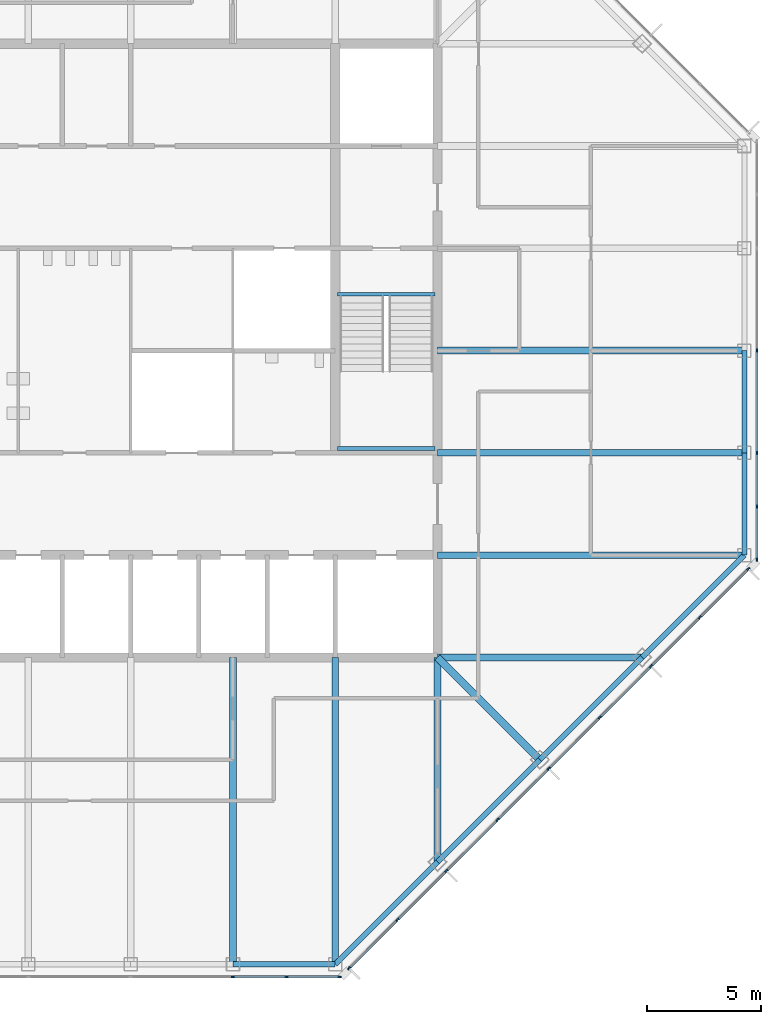
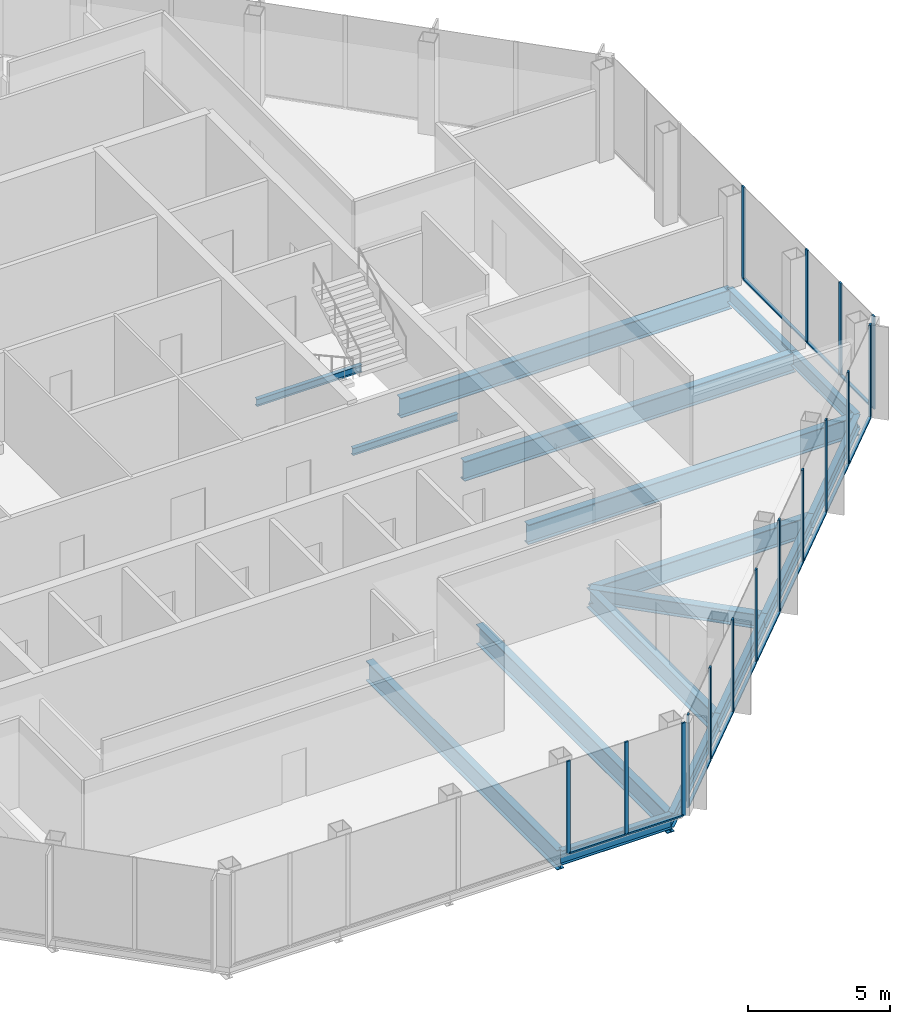
# One storey, part 4 of 14: 29 members, 17 beams, 3 elements without a shape of their own.
"""IFC4 building model written with IfcOpenShell, lengths in metres."""

from ifc_helpers import new_model, si_unit, direction, frame, origin, origin_2d, place, context, subcontext, project, spatial, rectangle, i_section, extrude, material, material_profile, profile_set, type_object, element, aggregate, save


model = new_model("IFC4")

# Units and contexts
model_context = context("Model", 3, precision=1e-05, world=origin(), true_north=direction((0.0, 1.0)))
body_context = subcontext(model_context, "Body", "Model", "MODEL_VIEW")
ifc_project = project(units=[si_unit("LENGTHUNIT", "METRE"), si_unit("AREAUNIT", "SQUARE_METRE"), si_unit("VOLUMEUNIT", "CUBIC_METRE"), si_unit("PLANEANGLEUNIT", "RADIAN"), si_unit("MASSUNIT", "GRAM", prefix="KILO")], contexts=[model_context])

# Site, building, storey
site_placement = place(None, origin())
site = spatial("IfcSite", under=ifc_project, at=site_placement, CompositionType="ELEMENT")
building_placement = place(site_placement, origin())
building = spatial("IfcBuilding", under=site, at=building_placement, Name="Corais Broadcast Tower", CompositionType="ELEMENT")
storey_placement = place(building_placement, frame((0.0, 0.0, 290.60009765625)))
storey = spatial("IfcBuildingStorey", under=building, at=storey_placement, Name="L68", CompositionType="ELEMENT", Elevation=290.60009765625)

# Beams
ifc_material_1 = material(Name="Steel ASTM A572 Grade 50", Category="steel")
ifc_material_profile_1 = material_profile(ifc_material_1, i_section(OverallWidth=0.323974609375, OverallDepth=0.611083984375, WebThickness=0.0126953125, FlangeThickness=0.01904296875, at=origin_2d()), Name="W610x155")
ifc_profile_set_1 = profile_set([ifc_material_profile_1], Name="Steel ASTM A572 Grade 50")
beam_type_1 = type_object("IfcBeamType", Name="Corner diagonal W610x155", PredefinedType="BEAM", material=ifc_profile_set_1)
beam_1_placement = place(storey_placement, frame((45.0, 9.0, -0.465576171875), z_axis=(-0.707106781187, 0.707106781187, 0.0), x_axis=(-0.707106781187, -0.707106781187, 0.0)))
element("IfcBeam", 1, at=beam_1_placement, inside=storey, type_object=beam_type_1, Name="B6 C/13 to D/12", PredefinedType="BEAM", context=body_context, shape_type="SweptSolid", body=[
    extrude(i_section(OverallWidth=0.323974609375, OverallDepth=0.611083984375, WebThickness=0.0126953125, FlangeThickness=0.01904296875, at=origin_2d()), origin(), (0.0, 0.0, 1.0), 6.364013671875),
])
ifc_material_2 = material(Name="Steel ASTM A572 Grade 50", Category="steel")
ifc_material_profile_2 = material_profile(ifc_material_2, i_section(OverallWidth=0.2939453125, OverallDepth=0.85107421875, WebThickness=0.01611328125, FlangeThickness=0.02685546875, at=origin_2d()), Name="W840x226")
ifc_profile_set_2 = profile_set([ifc_material_profile_2], Name="Steel ASTM A572 Grade 50")
beam_type_2 = type_object("IfcBeamType", Name="Floor beam W840x226", PredefinedType="BEAM", material=ifc_profile_set_2)
for number, where, z_axis, x_axis, name in (
    (2, (31.5, 0.0, -0.585693359375), (0.0, 1.0, 0.0), (-1.0, 0.0, 0.0), "B1 A/10 to D/10"),
    (3, (36.0, 0.0, -0.585693359375), (0.0, 1.0, 0.0), (-1.0, 0.0, 0.0), "B1 A/11 to D/11"),
):
    element("IfcBeam", number, at=place(storey_placement, frame(where, z_axis=z_axis, x_axis=x_axis)), inside=storey, type_object=beam_type_2, Name=name, PredefinedType="BEAM", context=body_context, shape_type="SweptSolid", body=[
        extrude(i_section(OverallWidth=0.2939453125, OverallDepth=0.85107421875, WebThickness=0.01611328125, FlangeThickness=0.02685546875, at=origin_2d()), origin(), (0.0, 0.0, 1.0), 13.5),
    ])
for number, where, z_axis, x_axis, name in (
    (4, (40.5, 4.5, -0.585693359375), (0.0, 1.0, 0.0), (-1.0, 0.0, 0.0), "B1 B/12 to D/12"),
    (5, (49.5, 13.5, -0.585693359375), (-1.0, 0.0, 0.0), (0.0, -1.0, 0.0), "B1 D/14 to D/12"),
):
    element("IfcBeam", number, at=place(storey_placement, frame(where, z_axis=z_axis, x_axis=x_axis)), inside=storey, type_object=beam_type_2, Name=name, PredefinedType="BEAM", context=body_context, shape_type="SweptSolid", body=[
        extrude(i_section(OverallWidth=0.2939453125, OverallDepth=0.85107421875, WebThickness=0.01611328125, FlangeThickness=0.02685546875, at=origin_2d()), origin(), (0.0, 0.0, 1.0), 9.0),
    ])
for number, where, z_axis, x_axis, name in (
    (6, (54.0, 18.0, -0.585693359375), (-1.0, 0.0, 0.0), (0.0, -1.0, 0.0), "B1 E/15 to E/12"),
    (7, (54.0, 22.5, -0.585693359375), (-1.0, 0.0, 0.0), (0.0, -1.0, 0.0), "B1 F/15 to F/12"),
    (8, (54.0, 27.0, -0.585693359375), (-1.0, 0.0, 0.0), (0.0, -1.0, 0.0), "B1 G/15 to G/12"),
):
    element("IfcBeam", number, at=place(storey_placement, frame(where, z_axis=z_axis, x_axis=x_axis)), inside=storey, type_object=beam_type_2, Name=name, PredefinedType="BEAM", context=body_context, shape_type="SweptSolid", body=[
        extrude(i_section(OverallWidth=0.2939453125, OverallDepth=0.85107421875, WebThickness=0.01611328125, FlangeThickness=0.02685546875, at=origin_2d()), origin(), (0.0, 0.0, 1.0), 13.5),
    ])
ifc_material_3 = material(Name="Steel ASTM A572 Grade 50", Category="steel")
ifc_material_profile_3 = material_profile(ifc_material_3, i_section(OverallWidth=0.1650390625, OverallDepth=0.31005859375, WebThickness=0.005859375, FlangeThickness=0.009765625, at=origin_2d()), Name="W310x38.7")
ifc_profile_set_3 = profile_set([ifc_material_profile_3], Name="Steel ASTM A572 Grade 50")
beam_type_3 = type_object("IfcBeamType", Name="Landing trimmer W310x38.7", PredefinedType="BEAM", material=ifc_profile_set_3)
for number, where, z_axis, x_axis, name in (
    (9, (36.10009765625, 29.47509765625, -0.35498046875), (1.0, 0.0, 0.0), (0.0, 1.0, 0.0), "LT1 stair B landing trimmer L68"),
    (10, (36.10009765625, 22.68994140625, 1.64501953125), (1.0, 0.0, 0.0), (0.0, 1.0, 0.0), "LT1 stair B half landing trimmer L68"),
):
    element("IfcBeam", number, at=place(storey_placement, frame(where, z_axis=z_axis, x_axis=x_axis)), inside=storey, type_object=beam_type_3, Name=name, PredefinedType="BEAM", context=body_context, shape_type="SweptSolid", body=[
        extrude(i_section(OverallWidth=0.1650390625, OverallDepth=0.31005859375, WebThickness=0.005859375, FlangeThickness=0.009765625, at=origin_2d()), origin(), (0.0, 0.0, 1.0), 4.2998046875),
    ])

# Curtain wall, members
ifc_material_4 = material(Name="Aluminium and glass", Category="aluminium")
curtain_wall_type = type_object("IfcCurtainWallType", Name="Unitised fritted curtain wall CW3", PredefinedType="NOTDEFINED", material=ifc_material_4)
curtain_wall_1_placement = place(storey_placement, origin())
curtain_wall_1 = element("IfcCurtainWall", 11, at=curtain_wall_1_placement, inside=storey, type_object=curtain_wall_type, Name="CW3 curtain wall L68 6", PredefinedType="NOTDEFINED")
ifc_material_5 = material(Name="Aluminium 6063-T6", Category="aluminium")
ifc_material_profile_4 = material_profile(ifc_material_5, rectangle(XDim=0.06494140625, YDim=0.159912109375, at=origin_2d()), Name="Mullion CW3 65x160")
ifc_profile_set_4 = profile_set([ifc_material_profile_4], Name="Aluminium 6063-T6")
member_type_1 = type_object("IfcMemberType", Name="Mullion CW3 65x160", PredefinedType="MULLION", material=ifc_profile_set_4)
member_1_placement = place(storey_placement, frame((54.550048828125, 27.0, 0.0), z_axis=(0.0, 0.0, 1.0), x_axis=(1.0, 0.0, 0.0)))
member_1 = element("IfcMember", 12, at=member_1_placement, type_object=member_type_1, Name="CW3 mullion 4", PredefinedType="MULLION", context=body_context, shape_type="SweptSolid", body=[
    extrude(rectangle(XDim=0.06494140625, YDim=0.159912109375, at=origin_2d()), origin(), (0.0, 0.0, 1.0), 4.0),
])
member_2_placement = place(storey_placement, frame((54.550048828125, 22.5, 0.0), z_axis=(0.0, 0.0, 1.0), x_axis=(1.0, 0.0, 0.0)))
member_2 = element("IfcMember", 13, at=member_2_placement, type_object=member_type_1, Name="CW3 mullion 5", PredefinedType="MULLION", context=body_context, shape_type="SweptSolid", body=[
    extrude(rectangle(XDim=0.06494140625, YDim=0.159912109375, at=origin_2d()), origin(), (0.0, 0.0, 1.0), 4.0),
])
member_3_placement = place(storey_placement, frame((54.550048828125, 20.135986328125, 0.0), z_axis=(0.0, 0.0, 1.0), x_axis=(1.0, 0.0, 0.0)))
member_3 = element("IfcMember", 14, at=member_3_placement, type_object=member_type_1, Name="CW3 mullion 6", PredefinedType="MULLION", context=body_context, shape_type="SweptSolid", body=[
    extrude(rectangle(XDim=0.06494140625, YDim=0.159912109375, at=origin_2d()), origin(), (0.0, 0.0, 1.0), 4.0),
])
member_4_placement = place(storey_placement, frame((54.550048828125, 17.8046875, 0.0), z_axis=(0.0, 0.0, 1.0), x_axis=(1.0, 0.0, 0.0)))
member_4 = element("IfcMember", 15, at=member_4_placement, type_object=member_type_1, Name="CW3 mullion 7", PredefinedType="MULLION", context=body_context, shape_type="SweptSolid", body=[
    extrude(rectangle(XDim=0.06494140625, YDim=0.159912109375, at=origin_2d()), origin(), (0.0, 0.0, 1.0), 4.0),
])

curtain_wall_2_placement = place(storey_placement, origin())
curtain_wall_2 = element("IfcCurtainWall", 16, at=curtain_wall_2_placement, inside=storey, type_object=curtain_wall_type, Name="CW3 curtain wall L68 7", PredefinedType="NOTDEFINED")
member_5_placement = place(storey_placement, frame((54.17333984375, 17.3955078125, 0.0), z_axis=(0.0, 0.0, 1.0), x_axis=(0.707106781187, -0.707106781187, 0.0)))
member_5 = element("IfcMember", 17, at=member_5_placement, type_object=member_type_1, Name="CW3 mullion 1", PredefinedType="MULLION", context=body_context, shape_type="SweptSolid", body=[
    extrude(rectangle(XDim=0.06494140625, YDim=0.159912109375, at=origin_2d()), origin(), (0.0, 0.0, 1.0), 4.0),
])
member_6_placement = place(storey_placement, frame((52.042724609375, 15.264892578125, 0.0), z_axis=(0.0, 0.0, 1.0), x_axis=(0.707106781187, -0.707106781187, 0.0)))
member_6 = element("IfcMember", 18, at=member_6_placement, type_object=member_type_1, Name="CW3 mullion 2", PredefinedType="MULLION", context=body_context, shape_type="SweptSolid", body=[
    extrude(rectangle(XDim=0.06494140625, YDim=0.159912109375, at=origin_2d()), origin(), (0.0, 0.0, 1.0), 4.0),
])
member_7_placement = place(storey_placement, frame((49.888916015625, 13.111083984375, 0.0), z_axis=(0.0, 0.0, 1.0), x_axis=(0.707106781187, -0.707106781187, 0.0)))
member_7 = element("IfcMember", 19, at=member_7_placement, type_object=member_type_1, Name="CW3 mullion 3", PredefinedType="MULLION", context=body_context, shape_type="SweptSolid", body=[
    extrude(rectangle(XDim=0.06494140625, YDim=0.159912109375, at=origin_2d()), origin(), (0.0, 0.0, 1.0), 4.0),
])
member_8_placement = place(storey_placement, frame((47.638916015625, 10.861083984375, 0.0), z_axis=(0.0, 0.0, 1.0), x_axis=(0.707106781187, -0.707106781187, 0.0)))
member_8 = element("IfcMember", 20, at=member_8_placement, type_object=member_type_1, Name="CW3 mullion 4", PredefinedType="MULLION", context=body_context, shape_type="SweptSolid", body=[
    extrude(rectangle(XDim=0.06494140625, YDim=0.159912109375, at=origin_2d()), origin(), (0.0, 0.0, 1.0), 4.0),
])
member_9_placement = place(storey_placement, frame((45.388916015625, 8.611083984375, 0.0), z_axis=(0.0, 0.0, 1.0), x_axis=(0.707106781187, -0.707106781187, 0.0)))
member_9 = element("IfcMember", 21, at=member_9_placement, type_object=member_type_1, Name="CW3 mullion 5", PredefinedType="MULLION", context=body_context, shape_type="SweptSolid", body=[
    extrude(rectangle(XDim=0.06494140625, YDim=0.159912109375, at=origin_2d()), origin(), (0.0, 0.0, 1.0), 4.0),
])
member_10_placement = place(storey_placement, frame((43.138916015625, 6.361083984375, 0.0), z_axis=(0.0, 0.0, 1.0), x_axis=(0.707106781187, -0.707106781187, 0.0)))
member_10 = element("IfcMember", 22, at=member_10_placement, type_object=member_type_1, Name="CW3 mullion 6", PredefinedType="MULLION", context=body_context, shape_type="SweptSolid", body=[
    extrude(rectangle(XDim=0.06494140625, YDim=0.159912109375, at=origin_2d()), origin(), (0.0, 0.0, 1.0), 4.0),
])
member_11_placement = place(storey_placement, frame((40.888916015625, 4.111083984375, 0.0), z_axis=(0.0, 0.0, 1.0), x_axis=(0.707106781187, -0.707106781187, 0.0)))
member_11 = element("IfcMember", 23, at=member_11_placement, type_object=member_type_1, Name="CW3 mullion 7", PredefinedType="MULLION", context=body_context, shape_type="SweptSolid", body=[
    extrude(rectangle(XDim=0.06494140625, YDim=0.159912109375, at=origin_2d()), origin(), (0.0, 0.0, 1.0), 4.0),
])
member_12_placement = place(storey_placement, frame((38.735107421875, 1.957275390625, 0.0), z_axis=(0.0, 0.0, 1.0), x_axis=(0.707106781187, -0.707106781187, 0.0)))
member_12 = element("IfcMember", 24, at=member_12_placement, type_object=member_type_1, Name="CW3 mullion 8", PredefinedType="MULLION", context=body_context, shape_type="SweptSolid", body=[
    extrude(rectangle(XDim=0.06494140625, YDim=0.159912109375, at=origin_2d()), origin(), (0.0, 0.0, 1.0), 4.0),
])
member_13_placement = place(storey_placement, frame((36.6044921875, -0.17333984375, 0.0), z_axis=(0.0, 0.0, 1.0), x_axis=(0.707106781187, -0.707106781187, 0.0)))
member_13 = element("IfcMember", 25, at=member_13_placement, type_object=member_type_1, Name="CW3 mullion 9", PredefinedType="MULLION", context=body_context, shape_type="SweptSolid", body=[
    extrude(rectangle(XDim=0.06494140625, YDim=0.159912109375, at=origin_2d()), origin(), (0.0, 0.0, 1.0), 4.0),
])

curtain_wall_3_placement = place(storey_placement, origin())
curtain_wall_3 = element("IfcCurtainWall", 26, at=curtain_wall_3_placement, inside=storey, type_object=curtain_wall_type, Name="CW3 curtain wall L68 8", PredefinedType="NOTDEFINED")
member_14_placement = place(storey_placement, frame((36.1953125, -0.550048828125, 0.0), z_axis=(0.0, 0.0, 1.0), x_axis=(0.0, -1.0, 0.0)))
member_14 = element("IfcMember", 27, at=member_14_placement, type_object=member_type_1, Name="CW3 mullion 1", PredefinedType="MULLION", context=body_context, shape_type="SweptSolid", body=[
    extrude(rectangle(XDim=0.06494140625, YDim=0.159912109375, at=origin_2d()), origin(), (0.0, 0.0, 1.0), 4.0),
])
member_15_placement = place(storey_placement, frame((33.864013671875, -0.550048828125, 0.0), z_axis=(0.0, 0.0, 1.0), x_axis=(0.0, -1.0, 0.0)))
member_15 = element("IfcMember", 28, at=member_15_placement, type_object=member_type_1, Name="CW3 mullion 2", PredefinedType="MULLION", context=body_context, shape_type="SweptSolid", body=[
    extrude(rectangle(XDim=0.06494140625, YDim=0.159912109375, at=origin_2d()), origin(), (0.0, 0.0, 1.0), 4.0),
])
member_16_placement = place(storey_placement, frame((31.5, -0.550048828125, 0.0), z_axis=(0.0, 0.0, 1.0), x_axis=(0.0, -1.0, 0.0)))
member_16 = element("IfcMember", 29, at=member_16_placement, type_object=member_type_1, Name="CW3 mullion 3", PredefinedType="MULLION", context=body_context, shape_type="SweptSolid", body=[
    extrude(rectangle(XDim=0.06494140625, YDim=0.159912109375, at=origin_2d()), origin(), (0.0, 0.0, 1.0), 4.0),
])

# Beams
ifc_material_6 = material(Name="Steel ASTM A572 Grade 50", Category="steel")
ifc_material_profile_5 = material_profile(ifc_material_6, i_section(OverallWidth=0.22998046875, OverallDepth=0.616943359375, WebThickness=0.01318359375, FlangeThickness=0.022216796875, at=origin_2d()), Name="W610x140")
ifc_profile_set_5 = profile_set([ifc_material_profile_5], Name="Steel ASTM A572 Grade 50")
beam_type_4 = type_object("IfcBeamType", Name="Spandrel W610x140", PredefinedType="BEAM", material=ifc_profile_set_5)
beam_2_placement = place(storey_placement, frame((31.5, 0.0, -0.468505859375), z_axis=(1.0, 0.0, 0.0), x_axis=(0.0, 1.0, 0.0)))
element("IfcBeam", 30, at=beam_2_placement, inside=storey, type_object=beam_type_4, Name="SB3 A/10 to A/11", PredefinedType="BEAM", context=body_context, shape_type="SweptSolid", body=[
    extrude(i_section(OverallWidth=0.22998046875, OverallDepth=0.616943359375, WebThickness=0.01318359375, FlangeThickness=0.022216796875, at=origin_2d()), origin(), (0.0, 0.0, 1.0), 4.5),
])
for number, where, z_axis, x_axis, name in (
    (31, (36.0, 0.0, -0.468505859375), (0.707106781187, 0.707106781187, 0.0), (-0.707106781187, 0.707106781187, 0.0), "SB3 A/11 to B/12"),
    (32, (40.5, 4.5, -0.468505859375), (0.707106781187, 0.707106781187, 0.0), (-0.707106781187, 0.707106781187, 0.0), "SB3 B/12 to C/13"),
    (33, (45.0, 9.0, -0.468505859375), (0.707106781187, 0.707106781187, 0.0), (-0.707106781187, 0.707106781187, 0.0), "SB3 C/13 to D/14"),
    (34, (49.5, 13.5, -0.468505859375), (0.707106781187, 0.707106781187, 0.0), (-0.707106781187, 0.707106781187, 0.0), "SB3 D/14 to E/15"),
):
    element("IfcBeam", number, at=place(storey_placement, frame(where, z_axis=z_axis, x_axis=x_axis)), inside=storey, type_object=beam_type_4, Name=name, PredefinedType="BEAM", context=body_context, shape_type="SweptSolid", body=[
        extrude(i_section(OverallWidth=0.22998046875, OverallDepth=0.616943359375, WebThickness=0.01318359375, FlangeThickness=0.022216796875, at=origin_2d()), origin(), (0.0, 0.0, 1.0), 6.364013671875),
    ])
for number, where, z_axis, x_axis, name in (
    (35, (54.0, 18.0, -0.468505859375), (0.0, 1.0, 0.0), (-1.0, 0.0, 0.0), "SB3 E/15 to F/15"),
    (36, (54.0, 22.5, -0.468505859375), (0.0, 1.0, 0.0), (-1.0, 0.0, 0.0), "SB3 F/15 to G/15"),
):
    element("IfcBeam", number, at=place(storey_placement, frame(where, z_axis=z_axis, x_axis=x_axis)), inside=storey, type_object=beam_type_4, Name=name, PredefinedType="BEAM", context=body_context, shape_type="SweptSolid", body=[
        extrude(i_section(OverallWidth=0.22998046875, OverallDepth=0.616943359375, WebThickness=0.01318359375, FlangeThickness=0.022216796875, at=origin_2d()), origin(), (0.0, 0.0, 1.0), 4.5),
    ])

# Member
ifc_material_7 = material(Name="Aluminium 6063-T6", Category="aluminium")
ifc_material_profile_6 = material_profile(ifc_material_7, rectangle(XDim=0.1201171875, YDim=0.06494140625, at=origin_2d()), Name="Transom CW3 65x120")
ifc_profile_set_6 = profile_set([ifc_material_profile_6], Name="Aluminium 6063-T6")
member_type_2 = type_object("IfcMemberType", Name="Transom CW3 65x120", PredefinedType="USERDEFINED", material=ifc_profile_set_6)
member_17_placement = place(storey_placement, frame((54.550048828125, 26.967529296875, 0.032470703125), z_axis=(0.0, -1.0, 0.0), x_axis=(1.0, 0.0, 0.0)))
member_17 = element("IfcMember", 37, at=member_17_placement, type_object=member_type_2, Name="CW3 transom 4.1", ObjectType="TRANSOM", PredefinedType="USERDEFINED", context=body_context, shape_type="SweptSolid", body=[
    extrude(rectangle(XDim=0.1201171875, YDim=0.06494140625, at=origin_2d()), origin(), (0.0, 0.0, 1.0), 4.43505859375),
])

member_18_placement = place(storey_placement, frame((54.550048828125, 22.467529296875, 0.032470703125), z_axis=(0.0, -1.0, 0.0), x_axis=(1.0, 0.0, 0.0)))
member_18 = element("IfcMember", 38, at=member_18_placement, type_object=member_type_2, Name="CW3 transom 5.1", ObjectType="TRANSOM", PredefinedType="USERDEFINED", context=body_context, shape_type="SweptSolid", body=[
    extrude(rectangle(XDim=0.1201171875, YDim=0.06494140625, at=origin_2d()), origin(), (0.0, 0.0, 1.0), 2.298828125),
])

member_19_placement = place(storey_placement, frame((54.550048828125, 20.103515625, 0.032470703125), z_axis=(0.0, -1.0, 0.0), x_axis=(1.0, 0.0, 0.0)))
member_19 = element("IfcMember", 39, at=member_19_placement, type_object=member_type_2, Name="CW3 transom 6.1", ObjectType="TRANSOM", PredefinedType="USERDEFINED", context=body_context, shape_type="SweptSolid", body=[
    extrude(rectangle(XDim=0.1201171875, YDim=0.06494140625, at=origin_2d()), origin(), (0.0, 0.0, 1.0), 2.266357421875),
])

aggregate(curtain_wall_1, [member_1, member_2, member_3, member_4, member_17, member_18, member_19])

member_20_placement = place(storey_placement, frame((54.150390625, 17.37255859375, 0.032470703125), z_axis=(-0.707106781187, -0.707106781187, 0.0), x_axis=(0.707106781187, -0.707106781187, 0.0)))
member_20 = element("IfcMember", 40, at=member_20_placement, type_object=member_type_2, Name="CW3 transom 1.1", ObjectType="TRANSOM", PredefinedType="USERDEFINED", context=body_context, shape_type="SweptSolid", body=[
    extrude(rectangle(XDim=0.1201171875, YDim=0.06494140625, at=origin_2d()), origin(), (0.0, 0.0, 1.0), 2.9482421875),
])

member_21_placement = place(storey_placement, frame((52.019775390625, 15.241943359375, 0.032470703125), z_axis=(-0.707106781187, -0.707106781187, 0.0), x_axis=(0.707106781187, -0.707106781187, 0.0)))
member_21 = element("IfcMember", 41, at=member_21_placement, type_object=member_type_2, Name="CW3 transom 2.1", ObjectType="TRANSOM", PredefinedType="USERDEFINED", context=body_context, shape_type="SweptSolid", body=[
    extrude(rectangle(XDim=0.1201171875, YDim=0.06494140625, at=origin_2d()), origin(), (0.0, 0.0, 1.0), 2.98095703125),
])

member_22_placement = place(storey_placement, frame((49.865966796875, 13.088134765625, 0.032470703125), z_axis=(-0.707106781187, -0.707106781187, 0.0), x_axis=(0.707106781187, -0.707106781187, 0.0)))
member_22 = element("IfcMember", 42, at=member_22_placement, type_object=member_type_2, Name="CW3 transom 3.1", ObjectType="TRANSOM", PredefinedType="USERDEFINED", context=body_context, shape_type="SweptSolid", body=[
    extrude(rectangle(XDim=0.1201171875, YDim=0.06494140625, at=origin_2d()), origin(), (0.0, 0.0, 1.0), 3.1171875),
])

member_23_placement = place(storey_placement, frame((47.615966796875, 10.838134765625, 0.032470703125), z_axis=(-0.707106781187, -0.707106781187, 0.0), x_axis=(0.707106781187, -0.707106781187, 0.0)))
member_23 = element("IfcMember", 43, at=member_23_placement, type_object=member_type_2, Name="CW3 transom 4.1", ObjectType="TRANSOM", PredefinedType="USERDEFINED", context=body_context, shape_type="SweptSolid", body=[
    extrude(rectangle(XDim=0.1201171875, YDim=0.06494140625, at=origin_2d()), origin(), (0.0, 0.0, 1.0), 3.1171875),
])

member_24_placement = place(storey_placement, frame((45.365966796875, 8.588134765625, 0.032470703125), z_axis=(-0.707106781187, -0.707106781187, 0.0), x_axis=(0.707106781187, -0.707106781187, 0.0)))
member_24 = element("IfcMember", 44, at=member_24_placement, type_object=member_type_2, Name="CW3 transom 5.1", ObjectType="TRANSOM", PredefinedType="USERDEFINED", context=body_context, shape_type="SweptSolid", body=[
    extrude(rectangle(XDim=0.1201171875, YDim=0.06494140625, at=origin_2d()), origin(), (0.0, 0.0, 1.0), 3.1171875),
])

member_25_placement = place(storey_placement, frame((43.115966796875, 6.338134765625, 0.032470703125), z_axis=(-0.707106781187, -0.707106781187, 0.0), x_axis=(0.707106781187, -0.707106781187, 0.0)))
member_25 = element("IfcMember", 45, at=member_25_placement, type_object=member_type_2, Name="CW3 transom 6.1", ObjectType="TRANSOM", PredefinedType="USERDEFINED", context=body_context, shape_type="SweptSolid", body=[
    extrude(rectangle(XDim=0.1201171875, YDim=0.06494140625, at=origin_2d()), origin(), (0.0, 0.0, 1.0), 3.1171875),
])

member_26_placement = place(storey_placement, frame((40.865966796875, 4.088134765625, 0.032470703125), z_axis=(-0.70714773134, -0.707065828661, 0.0), x_axis=(0.707065828661, -0.70714773134, 0.0)))
member_26 = element("IfcMember", 46, at=member_26_placement, type_object=member_type_2, Name="CW3 transom 7.1", ObjectType="TRANSOM", PredefinedType="USERDEFINED", context=body_context, shape_type="SweptSolid", body=[
    extrude(rectangle(XDim=0.1201171875, YDim=0.06494140625, at=origin_2d()), origin(), (0.0, 0.0, 1.0), 2.98095703125),
])

member_27_placement = place(storey_placement, frame((38.712158203125, 1.934326171875, 0.032470703125), z_axis=(-0.707106781187, -0.707106781187, 0.0), x_axis=(0.707106781187, -0.707106781187, 0.0)))
member_27 = element("IfcMember", 47, at=member_27_placement, type_object=member_type_2, Name="CW3 transom 8.1", ObjectType="TRANSOM", PredefinedType="USERDEFINED", context=body_context, shape_type="SweptSolid", body=[
    extrude(rectangle(XDim=0.1201171875, YDim=0.06494140625, at=origin_2d()), origin(), (0.0, 0.0, 1.0), 2.9482421875),
])

aggregate(curtain_wall_2, [member_5, member_6, member_7, member_8, member_9, member_10, member_11, member_12, member_13, member_20, member_21, member_22, member_23, member_24, member_25, member_26, member_27])

member_28_placement = place(storey_placement, frame((36.162841796875, -0.550048828125, 0.032470703125), z_axis=(-1.0, 0.0, 0.0), x_axis=(0.0, -1.0, 0.0)))
member_28 = element("IfcMember", 48, at=member_28_placement, type_object=member_type_2, Name="CW3 transom 1.1", ObjectType="TRANSOM", PredefinedType="USERDEFINED", context=body_context, shape_type="SweptSolid", body=[
    extrude(rectangle(XDim=0.1201171875, YDim=0.06494140625, at=origin_2d()), origin(), (0.0, 0.0, 1.0), 2.266357421875),
])

member_29_placement = place(storey_placement, frame((33.831298828125, -0.550048828125, 0.032470703125), z_axis=(-1.0, 0.0, 0.0), x_axis=(0.0, -1.0, 0.0)))
member_29 = element("IfcMember", 49, at=member_29_placement, type_object=member_type_2, Name="CW3 transom 2.1", ObjectType="TRANSOM", PredefinedType="USERDEFINED", context=body_context, shape_type="SweptSolid", body=[
    extrude(rectangle(XDim=0.1201171875, YDim=0.06494140625, at=origin_2d()), origin(), (0.0, 0.0, 1.0), 2.298828125),
])

aggregate(curtain_wall_3, [member_14, member_15, member_16, member_28, member_29])

save(model, "model.ifc")
